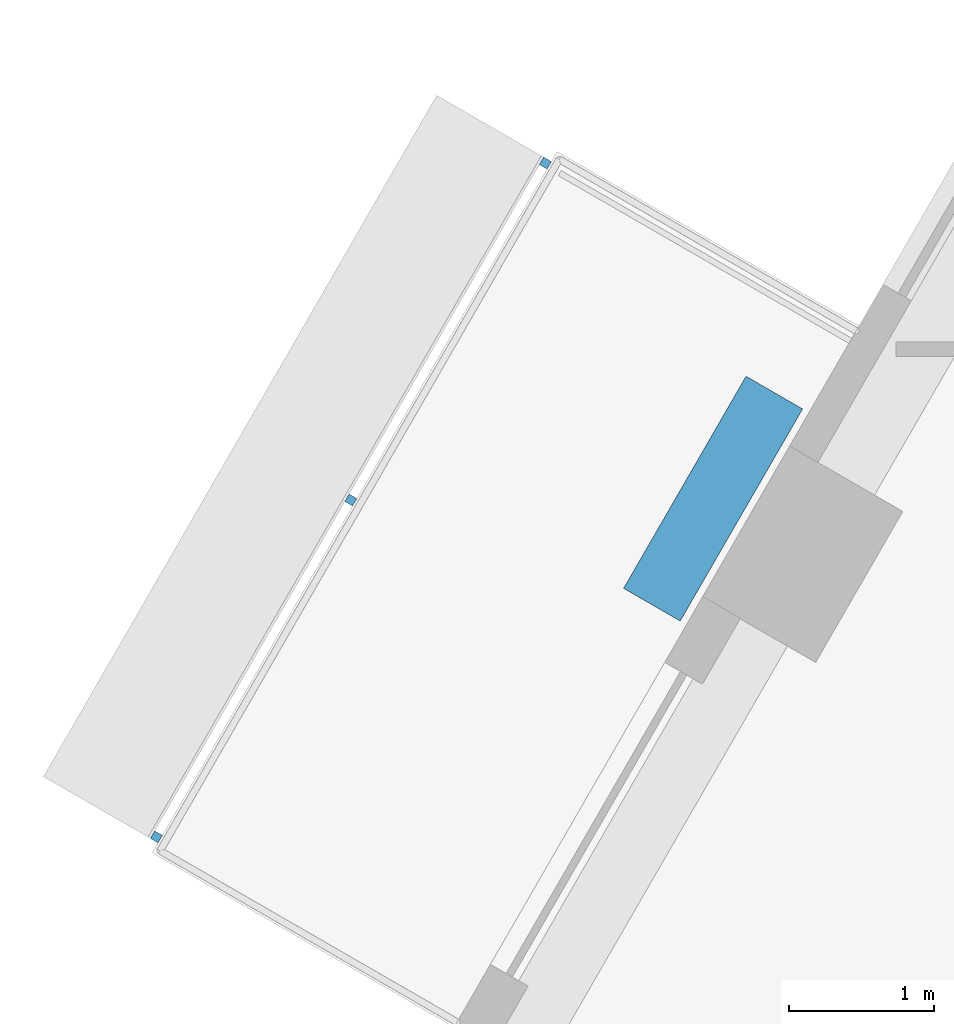
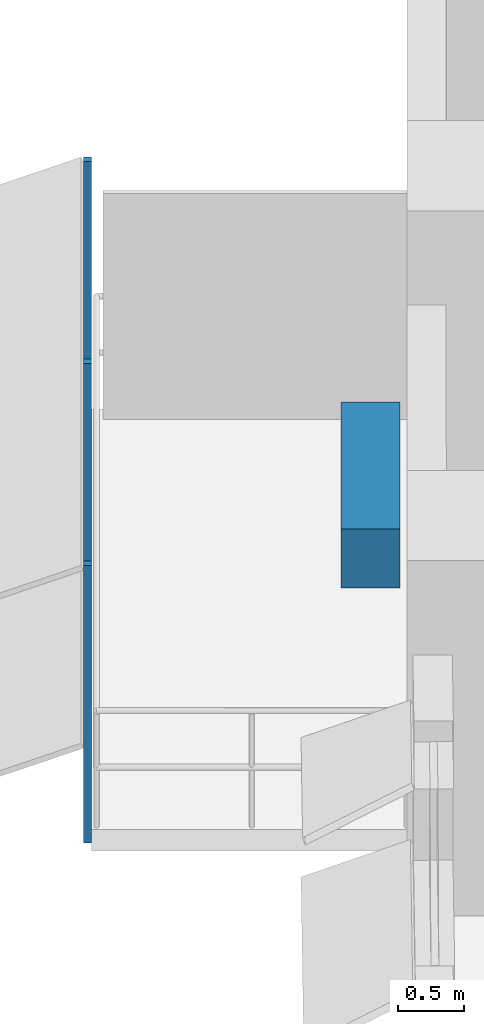
# One storey, part 13 of 17: 4 discrete accessories.
"""IFC4 building model written with IfcOpenShell, lengths in metres."""

from ifc_helpers import new_model, si_unit, direction, frame, origin, origin_2d, place, context, subcontext, project, spatial, rectangle, extrude, material, type_object, element, save


model = new_model("IFC4")

# Units and contexts
model_context = context("Model", 3, precision=1e-05, world=origin(), true_north=direction((0.0, 1.0)))
body_context = subcontext(model_context, "Body", "Model", "MODEL_VIEW")
ifc_project = project(units=[si_unit("LENGTHUNIT", "METRE"), si_unit("AREAUNIT", "SQUARE_METRE"), si_unit("VOLUMEUNIT", "CUBIC_METRE"), si_unit("PLANEANGLEUNIT", "RADIAN"), si_unit("MASSUNIT", "GRAM", prefix="KILO")], contexts=[model_context])

# Site, building, storey
site_placement = place(None, origin())
site = spatial("IfcSite", under=ifc_project, at=site_placement, CompositionType="ELEMENT")
building_placement = place(site_placement, origin())
building = spatial("IfcBuilding", under=site, at=building_placement, Name="Nakaniwa Court", CompositionType="ELEMENT")
storey_placement = place(building_placement, frame((0.0, 0.0, 206.39990234375)))
storey = spatial("IfcBuildingStorey", under=building, at=storey_placement, Name="L54", CompositionType="ELEMENT", Elevation=206.39990234375)

# Discrete accessories
ifc_material_1 = material(Name="Black powder-coated steel bracket S275", Category="steel")
discrete_accessory_type_1 = type_object("IfcDiscreteAccessoryType", Name="Black metal louvre bracket", PredefinedType="BRACKET", material=ifc_material_1)
for number, where, z_axis, x_axis, name in (
    (1, (59.089599609375, 93.9423828125, -0.229736328125), (0.0, 0.0, 1.0), (-0.499986396443, -0.866033257659, 0.0), "L54 louvre bracket 01 1"),
    (2, (57.750732421875, 91.623291015625, -0.229736328125), (0.0, 0.0, 1.0), (-0.499986396443, -0.866033257659, 0.0), "L54 louvre bracket 01 2"),
    (3, (56.412109375, 89.30419921875, -0.229736328125), (0.0, 0.0, 1.0), (-0.499986396443, -0.866033257659, 0.0), "L54 louvre bracket 01 3"),
):
    element("IfcDiscreteAccessory", number, at=place(storey_placement, frame(where, z_axis=z_axis, x_axis=x_axis)), inside=storey, type_object=discrete_accessory_type_1, Name=name, PredefinedType="BRACKET", context=body_context, shape_type="SweptSolid", body=[
        extrude(rectangle(XDim=0.06005859375, YDim=0.06005859375, at=origin_2d()), origin(), (0.0, 0.0, 1.0), 2.5751953125),
    ])
ifc_material_2 = material(Name="Precast concrete C40/50 planter with planted soil", Category="concrete")
discrete_accessory_type_2 = type_object("IfcDiscreteAccessoryType", Name="Planter box charcoal concrete", PredefinedType="USERDEFINED", material=ifc_material_2)
discrete_accessory_placement = place(storey_placement, frame((60.244384765625, 91.632568359375, -0.0498046875), z_axis=(0.0, 0.0, 1.0), x_axis=(-0.499986396443, -0.866033257659, 0.0)))
element("IfcDiscreteAccessory", 4, at=discrete_accessory_placement, inside=storey, type_object=discrete_accessory_type_2, Name="L54 balcony PLANTER 01", ObjectType="PLANTER", PredefinedType="USERDEFINED", context=body_context, shape_type="SweptSolid", body=[
    extrude(rectangle(XDim=1.685791015625, YDim=0.449951171875, at=origin_2d()), origin(), (0.0, 0.0, 1.0), 0.550048828125),
])

save(model, "model.ifc")
